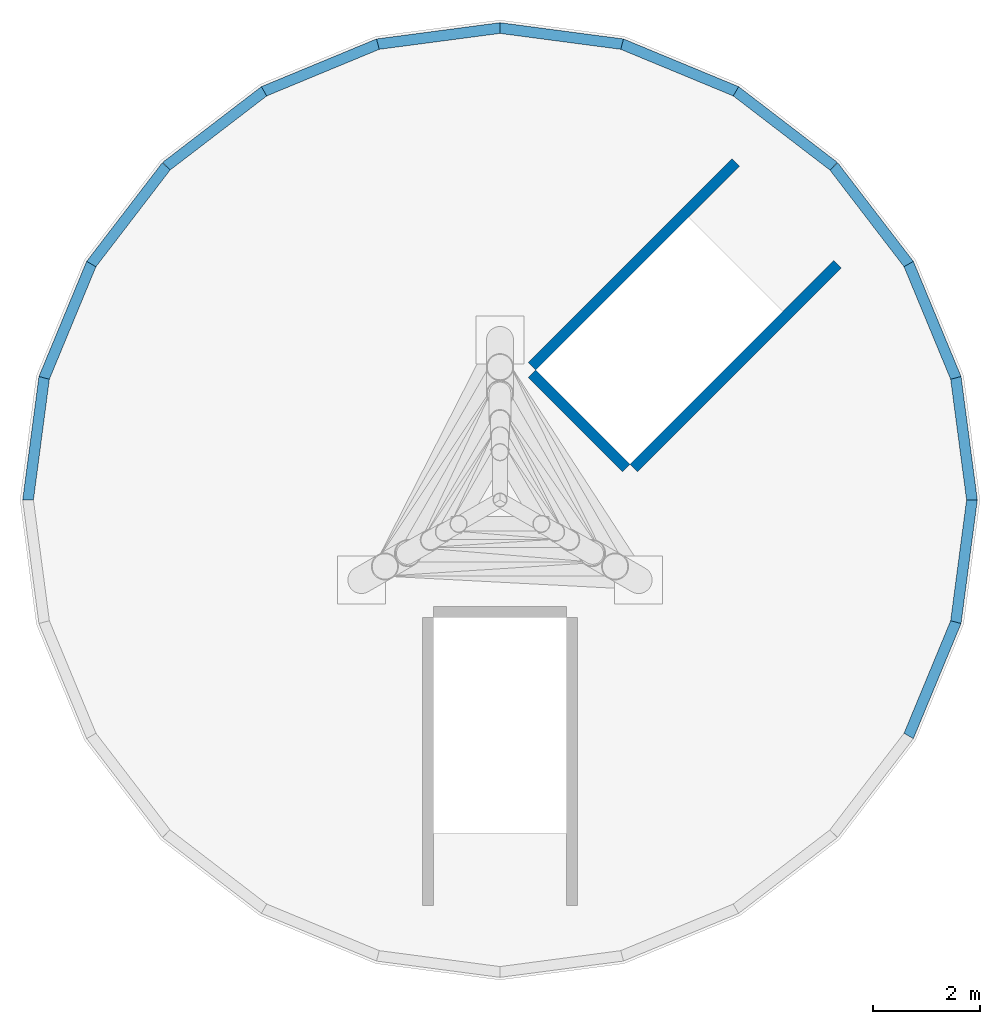
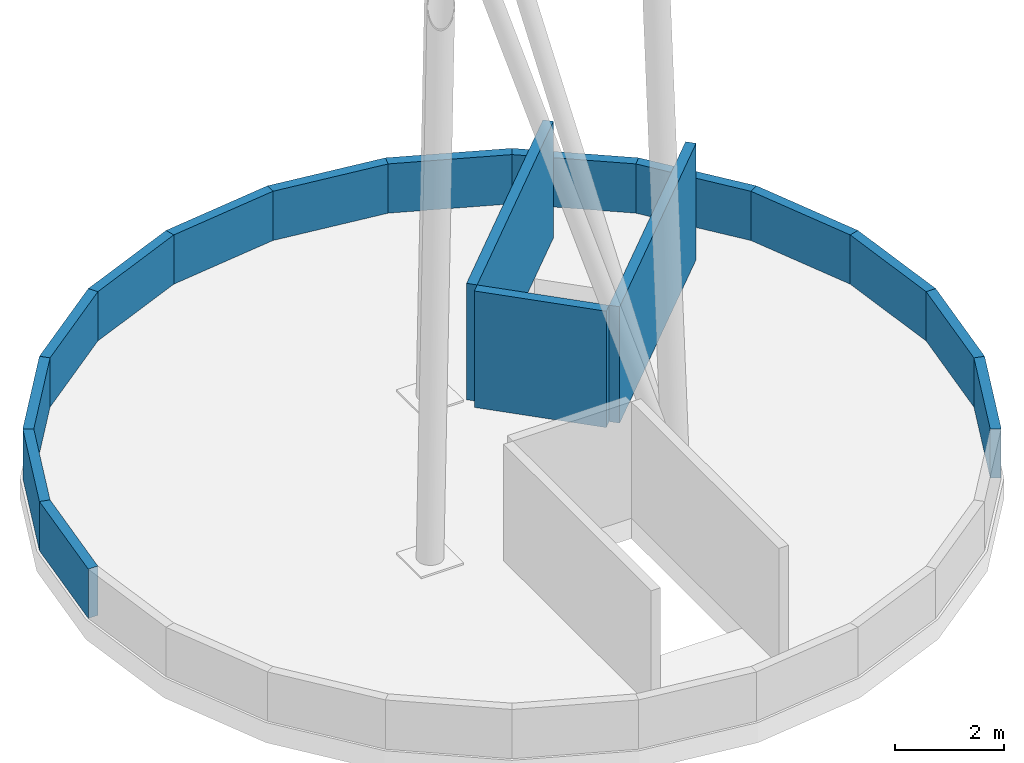
# One storey, part 2 of 2: 17 walls.
"""IFC4 building model written with IfcOpenShell, lengths in metres."""

from ifc_helpers import new_model, si_unit, direction, frame, frame_2d, origin, place, context, subcontext, project, spatial, polyline, rectangle, outline, extrude, material, layer, layer_set, layer_usage, type_object, element, save


model = new_model("IFC4")

# Units and contexts
model_context = context("Model", 3, precision=1e-05, world=origin(), true_north=direction((0.0, 1.0)))
body_context = subcontext(model_context, "Body", "Model", "MODEL_VIEW")
ifc_project = project(units=[si_unit("LENGTHUNIT", "METRE"), si_unit("AREAUNIT", "SQUARE_METRE"), si_unit("VOLUMEUNIT", "CUBIC_METRE"), si_unit("PLANEANGLEUNIT", "RADIAN"), si_unit("MASSUNIT", "GRAM", prefix="KILO")], contexts=[model_context])

# Site, building, storey
site_placement = place(None, origin())
site = spatial("IfcSite", under=ifc_project, at=site_placement, CompositionType="ELEMENT")
building_placement = place(site_placement, origin())
building = spatial("IfcBuilding", under=site, at=building_placement, Name="Triada Interchange Tower", CompositionType="ELEMENT")
storey_placement = place(building_placement, frame((0.0, 0.0, 335.800048828125)))
storey = spatial("IfcBuildingStorey", under=building, at=storey_placement, Name="Roof crown", CompositionType="ELEMENT", Elevation=335.800048828125)

# Walls
ifc_material = material(Name="Concrete C40/50", Category="concrete")
ifc_layer_1 = layer(ifc_material, 0.199951171875, Name="Reinforced concrete parapet")
ifc_layer_set_1 = layer_set([ifc_layer_1], Name="Parapet wall 1100 x 200 crown deck")
ifc_layer_usage_1 = layer_usage(ifc_layer_set_1, "AXIS2", "POSITIVE", -0.10009765625)
wall_type_1 = type_object("IfcWallType", Name="Parapet wall 1100 x 200 crown deck", PredefinedType="PARAPET", material=ifc_layer_set_1)
wall_1_placement = place(storey_placement, frame((8.84912109375, 0.0, 0.0), z_axis=(0.0, 0.0, 1.0), x_axis=(-0.130744321961, 0.991416119636, 0.0)))
element("IfcWall", 1, at=wall_1_placement, inside=storey, type_object=wall_type_1, material=ifc_layer_usage_1, Name="Crown deck parapet 01", PredefinedType="PARAPET", context=body_context, shape_type="SweptSolid", body=[
    extrude(outline(polyline([(-0.01318359375, -0.10009765625), (1.15478515625, -0.10009765625), (2.32275390625, -0.10009765625), (2.29638671875, 0.10009765625), (1.15478515625, 0.10009765625), (0.01318359375, 0.10009765625), (-0.01318359375, -0.10009765625)])), origin(), (0.0, 0.0, 1.0), 1.099853515625),
])
wall_2_placement = place(storey_placement, frame((8.547119140625, 2.2900390625, 0.0), z_axis=(0.0, 0.0, 1.0), x_axis=(-0.382715841974, 0.923866107346, 0.0)))
element("IfcWall", 2, at=wall_2_placement, inside=storey, type_object=wall_type_1, material=ifc_layer_usage_1, Name="Crown deck parapet 02", PredefinedType="PARAPET", context=body_context, shape_type="SweptSolid", body=[
    extrude(outline(polyline([(-0.01318359375, -0.10009765625), (1.1552734375, -0.10009765625), (2.323486328125, -0.10009765625), (2.297119140625, 0.10009765625), (1.1552734375, 0.10009765625), (0.01318359375, 0.10009765625), (-0.01318359375, -0.10009765625)])), origin(), (0.0, 0.0, 1.0), 1.099853515625),
])
for number, where, z_axis, x_axis, name in (
    (3, (7.6630859375, 4.424072265625, 0.0), (0.0, 0.0, 1.0), (-0.608622330426, 0.793460055016, 0.0), "Crown deck parapet 03"),
    (4, (6.257080078125, 6.257080078125, 0.0), (0.0, 0.0, 1.0), (-0.793460055016, 0.608622330426, 0.0), "Crown deck parapet 04"),
):
    element("IfcWall", number, at=place(storey_placement, frame(where, z_axis=z_axis, x_axis=x_axis)), inside=storey, type_object=wall_type_1, material=ifc_layer_usage_1, Name=name, PredefinedType="PARAPET", context=body_context, shape_type="SweptSolid", body=[
        extrude(outline(polyline([(-0.01318359375, -0.10009765625), (1.15478515625, -0.10009765625), (2.322998046875, -0.10009765625), (2.296630859375, 0.10009765625), (1.15478515625, 0.10009765625), (0.01318359375, 0.10009765625), (-0.01318359375, -0.10009765625)])), origin(), (0.0, 0.0, 1.0), 1.099853515625),
    ])
wall_3_placement = place(storey_placement, frame((4.424072265625, 7.6630859375, 0.0), z_axis=(0.0, 0.0, 1.0), x_axis=(-0.923866107346, 0.382715841974, 0.0)))
element("IfcWall", 5, at=wall_3_placement, inside=storey, type_object=wall_type_1, material=ifc_layer_usage_1, Name="Crown deck parapet 05", PredefinedType="PARAPET", context=body_context, shape_type="SweptSolid", body=[
    extrude(outline(polyline([(-0.01318359375, -0.10009765625), (1.1552734375, -0.10009765625), (2.323486328125, -0.10009765625), (2.297119140625, 0.10009765625), (1.1552734375, 0.10009765625), (0.01318359375, 0.10009765625), (-0.01318359375, -0.10009765625)])), origin(), (0.0, 0.0, 1.0), 1.099853515625),
])
for number, where, z_axis, x_axis, name in (
    (6, (2.2900390625, 8.547119140625, 0.0), (0.0, 0.0, 1.0), (-0.991416119636, 0.130744321961, 0.0), "Crown deck parapet 06"),
    (7, (0.0, 8.84912109375, 0.0), (0.0, 0.0, 1.0), (-0.991416119636, -0.130744321961, 0.0), "Crown deck parapet 07"),
):
    element("IfcWall", number, at=place(storey_placement, frame(where, z_axis=z_axis, x_axis=x_axis)), inside=storey, type_object=wall_type_1, material=ifc_layer_usage_1, Name=name, PredefinedType="PARAPET", context=body_context, shape_type="SweptSolid", body=[
        extrude(outline(polyline([(-0.01318359375, -0.10009765625), (1.15478515625, -0.10009765625), (2.32275390625, -0.10009765625), (2.29638671875, 0.10009765625), (1.15478515625, 0.10009765625), (0.01318359375, 0.10009765625), (-0.01318359375, -0.10009765625)])), origin(), (0.0, 0.0, 1.0), 1.099853515625),
    ])
wall_4_placement = place(storey_placement, frame((-2.2900390625, 8.547119140625, 0.0), z_axis=(0.0, 0.0, 1.0), x_axis=(-0.923866107346, -0.382715841974, 0.0)))
element("IfcWall", 8, at=wall_4_placement, inside=storey, type_object=wall_type_1, material=ifc_layer_usage_1, Name="Crown deck parapet 08", PredefinedType="PARAPET", context=body_context, shape_type="SweptSolid", body=[
    extrude(outline(polyline([(-0.01318359375, -0.10009765625), (1.1552734375, -0.10009765625), (2.323486328125, -0.10009765625), (2.297119140625, 0.10009765625), (1.1552734375, 0.10009765625), (0.01318359375, 0.10009765625), (-0.01318359375, -0.10009765625)])), origin(), (0.0, 0.0, 1.0), 1.099853515625),
])
for number, where, z_axis, x_axis, name in (
    (9, (-4.424072265625, 7.6630859375, 0.0), (0.0, 0.0, 1.0), (-0.793460055016, -0.608622330426, 0.0), "Crown deck parapet 09"),
    (10, (-6.257080078125, 6.257080078125, 0.0), (0.0, 0.0, 1.0), (-0.608622330426, -0.793460055016, 0.0), "Crown deck parapet 10"),
):
    element("IfcWall", number, at=place(storey_placement, frame(where, z_axis=z_axis, x_axis=x_axis)), inside=storey, type_object=wall_type_1, material=ifc_layer_usage_1, Name=name, PredefinedType="PARAPET", context=body_context, shape_type="SweptSolid", body=[
        extrude(outline(polyline([(-0.01318359375, -0.10009765625), (1.15478515625, -0.10009765625), (2.322998046875, -0.10009765625), (2.296630859375, 0.10009765625), (1.15478515625, 0.10009765625), (0.01318359375, 0.10009765625), (-0.01318359375, -0.10009765625)])), origin(), (0.0, 0.0, 1.0), 1.099853515625),
    ])
wall_5_placement = place(storey_placement, frame((-7.6630859375, 4.424072265625, 0.0), z_axis=(0.0, 0.0, 1.0), x_axis=(-0.382715841974, -0.923866107346, 0.0)))
element("IfcWall", 11, at=wall_5_placement, inside=storey, type_object=wall_type_1, material=ifc_layer_usage_1, Name="Crown deck parapet 11", PredefinedType="PARAPET", context=body_context, shape_type="SweptSolid", body=[
    extrude(outline(polyline([(-0.01318359375, -0.10009765625), (1.1552734375, -0.10009765625), (2.323486328125, -0.10009765625), (2.297119140625, 0.10009765625), (1.1552734375, 0.10009765625), (0.01318359375, 0.10009765625), (-0.01318359375, -0.10009765625)])), origin(), (0.0, 0.0, 1.0), 1.099853515625),
])
wall_6_placement = place(storey_placement, frame((-8.547119140625, 2.2900390625, 0.0), z_axis=(0.0, 0.0, 1.0), x_axis=(-0.130744321961, -0.991416119636, 0.0)))
element("IfcWall", 12, at=wall_6_placement, inside=storey, type_object=wall_type_1, material=ifc_layer_usage_1, Name="Crown deck parapet 12", PredefinedType="PARAPET", context=body_context, shape_type="SweptSolid", body=[
    extrude(outline(polyline([(-0.01318359375, -0.10009765625), (1.15478515625, -0.10009765625), (2.32275390625, -0.10009765625), (2.29638671875, 0.10009765625), (1.15478515625, 0.10009765625), (0.01318359375, 0.10009765625), (-0.01318359375, -0.10009765625)])), origin(), (0.0, 0.0, 1.0), 1.099853515625),
])
wall_7_placement = place(storey_placement, frame((7.6630859375, -4.424072265625, 0.0), z_axis=(0.0, 0.0, 1.0), x_axis=(0.382715841974, 0.923866107346, 0.0)))
element("IfcWall", 13, at=wall_7_placement, inside=storey, type_object=wall_type_1, material=ifc_layer_usage_1, Name="Crown deck parapet 23", PredefinedType="PARAPET", context=body_context, shape_type="SweptSolid", body=[
    extrude(outline(polyline([(-0.01318359375, -0.10009765625), (1.1552734375, -0.10009765625), (2.323486328125, -0.10009765625), (2.297119140625, 0.10009765625), (1.1552734375, 0.10009765625), (0.01318359375, 0.10009765625), (-0.01318359375, -0.10009765625)])), origin(), (0.0, 0.0, 1.0), 1.099853515625),
])
wall_8_placement = place(storey_placement, frame((8.547119140625, -2.2900390625, 0.0), z_axis=(0.0, 0.0, 1.0), x_axis=(0.130744321961, 0.991416119636, 0.0)))
element("IfcWall", 14, at=wall_8_placement, inside=storey, type_object=wall_type_1, material=ifc_layer_usage_1, Name="Crown deck parapet 24", PredefinedType="PARAPET", context=body_context, shape_type="SweptSolid", body=[
    extrude(outline(polyline([(-0.01318359375, -0.10009765625), (1.15478515625, -0.10009765625), (2.32275390625, -0.10009765625), (2.29638671875, 0.10009765625), (1.15478515625, 0.10009765625), (0.01318359375, 0.10009765625), (-0.01318359375, -0.10009765625)])), origin(), (0.0, 0.0, 1.0), 1.099853515625),
])
ifc_layer_2 = layer(ifc_material, 0.199951171875, Name="Reinforced concrete hood wall")
ifc_layer_set_2 = layer_set([ifc_layer_2], Name="Parapet wall 2600 x 200 stair hood")
ifc_layer_usage_2 = layer_usage(ifc_layer_set_2, "AXIS2", "POSITIVE", -0.10009765625)
wall_type_2 = type_object("IfcWallType", Name="Parapet wall 2600 x 200 stair hood", PredefinedType="PARAPET", material=ifc_layer_set_2)
wall_9_placement = place(storey_placement, frame((2.368896484375, 0.60107421875, 0.0), z_axis=(0.0, 0.0, 1.0), x_axis=(-0.707106781187, 0.707106781187, 0.0)))
element("IfcWall", 15, at=wall_9_placement, inside=storey, type_object=wall_type_2, material=ifc_layer_usage_2, Name="Crown stair hood RS1-1", PredefinedType="PARAPET", context=body_context, shape_type="SweptSolid", body=[
    extrude(rectangle(XDim=2.5, YDim=0.199951171875, at=frame_2d((1.25, 0.0))), origin(), (0.0, 0.0, 1.0), 2.599853515625),
])
for number, where, z_axis, x_axis, name in (
    (16, (2.510009765625, 0.60107421875, 0.0), (0.0, 0.0, 1.0), (0.707219797116, 0.706993747191, 0.0), "Crown stair hood RS1-2"),
    (17, (0.60107421875, 2.510009765625, 0.0), (0.0, 0.0, 1.0), (0.706993747191, 0.707219797116, 0.0), "Crown stair hood RS1-3"),
):
    element("IfcWall", number, at=place(storey_placement, frame(where, z_axis=z_axis, x_axis=x_axis)), inside=storey, type_object=wall_type_2, material=ifc_layer_usage_2, Name=name, PredefinedType="PARAPET", context=body_context, shape_type="SweptSolid", body=[
        extrude(rectangle(XDim=5.400146484375, YDim=0.199951171875, at=frame_2d((2.7001953125, 0.0))), origin(), (0.0, 0.0, 1.0), 2.599853515625),
    ])

save(model, "model.ifc")
